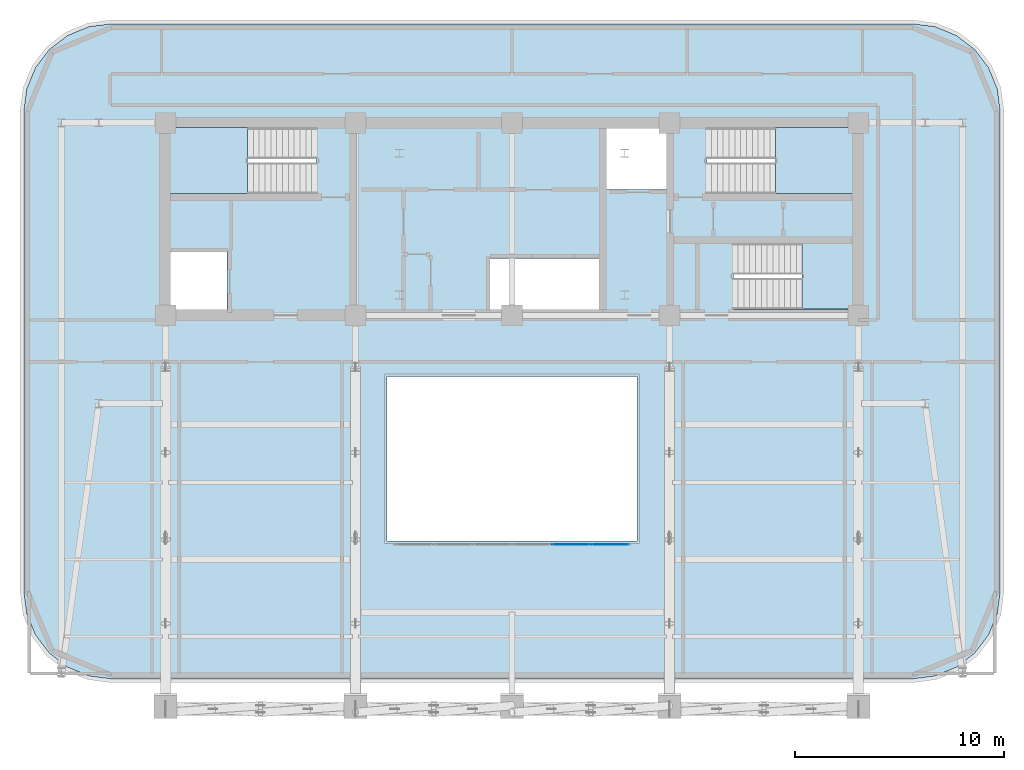
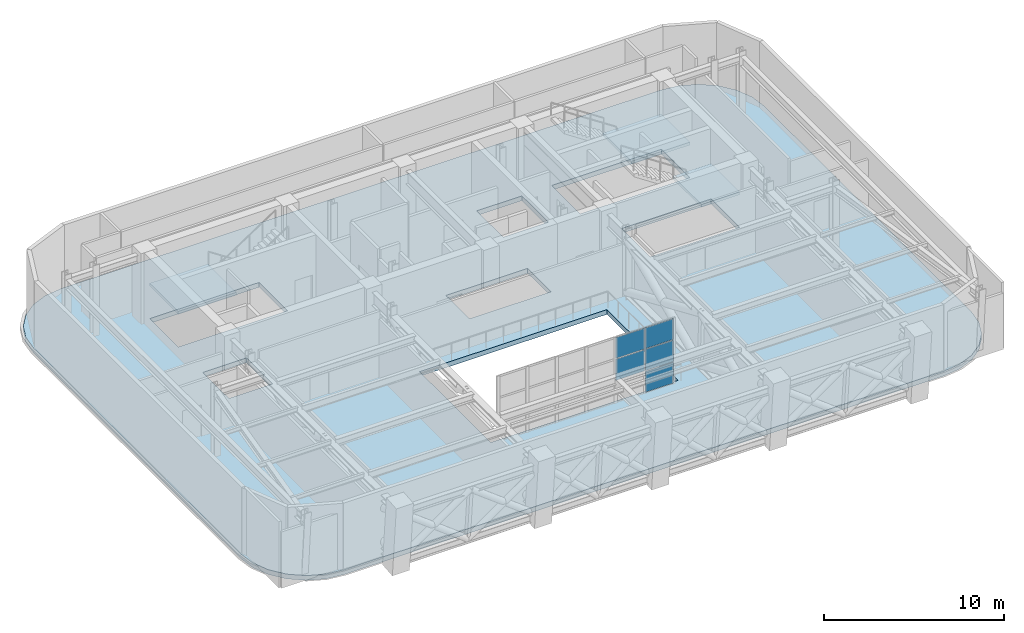
# One storey, part 4 of 12: 5 plates, 4 slabs, 4 elements without a shape of their own.
"""IFC4 building model written with IfcOpenShell, lengths in metres."""

from ifc_helpers import new_model, si_unit, direction, frame, origin, origin_2d, place, context, subcontext, project, spatial, polyline, rectangle, outline, extrude, material, layer, layer_set, type_object, element, aggregate, save


model = new_model("IFC4")

# Units and contexts
model_context = context("Model", 3, precision=1e-05, world=origin(), true_north=direction((0.0, 1.0)))
body_context = subcontext(model_context, "Body", "Model", "MODEL_VIEW")
ifc_project = project(units=[si_unit("LENGTHUNIT", "METRE"), si_unit("AREAUNIT", "SQUARE_METRE"), si_unit("VOLUMEUNIT", "CUBIC_METRE"), si_unit("PLANEANGLEUNIT", "RADIAN"), si_unit("MASSUNIT", "GRAM", prefix="KILO")], contexts=[model_context])

# Site, building, storey
site_placement = place(None, origin())
site = spatial("IfcSite", under=ifc_project, at=site_placement, CompositionType="ELEMENT")
building_placement = place(site_placement, origin())
building = spatial("IfcBuilding", under=site, at=building_placement, Name="Zarnavel Station Tower", CompositionType="ELEMENT")
storey_placement = place(building_placement, frame((0.0, 0.0, 188.39990234375)))
storey = spatial("IfcBuildingStorey", under=building, at=storey_placement, Name="L51", CompositionType="ELEMENT", Elevation=188.39990234375)

# Curtain wall, plates
ifc_material_1 = material(Name="Aluminium Dark Anodised and Solar-Control Glass", Category="aluminium")
ifc_layer_1 = layer(ifc_material_1, 0.179931640625)
ifc_layer_set_1 = layer_set([ifc_layer_1], Name="CWS5")
curtain_wall_type = type_object("IfcCurtainWallType", Name="CWS5", PredefinedType="NOTDEFINED", material=ifc_layer_set_1)
curtain_wall_placement = place(storey_placement, origin())
curtain_wall = element("IfcCurtainWall", 1, at=curtain_wall_placement, inside=storey, type_object=curtain_wall_type, Name="L51 Curtain Wall CWS5-L51-AS", PredefinedType="NOTDEFINED")
ifc_material_2 = material(Name="Double Low-E Dark Solar-Control Glass", Category="glass")
ifc_layer_2 = layer(ifc_material_2, 0.033935546875)
ifc_layer_set_2 = layer_set([ifc_layer_2], Name="CWS5_PNL")
plate_type = type_object("IfcPlateType", Name="CWS5_PNL", PredefinedType="CURTAIN_PANEL", material=ifc_layer_set_2)
plate_1_placement = place(storey_placement, frame((31.625, 16.85009765625, 1.5234375), z_axis=(0.0, 0.0, 1.0), x_axis=(1.0, 0.0, 0.0)))
plate_1 = element("IfcPlate", 2, at=plate_1_placement, type_object=plate_type, Name="CW5 panel 5.2", PredefinedType="CURTAIN_PANEL", context=body_context, shape_type="SweptSolid", body=[
    extrude(rectangle(XDim=1.8232421875, YDim=0.028076171875, at=origin_2d()), origin(), (0.0, 0.0, 1.0), 1.433349609375),
])
plate_2_placement = place(storey_placement, frame((31.625, 16.85009765625, 3.016845703125), z_axis=(0.0, 0.0, 1.0), x_axis=(1.0, 0.0, 0.0)))
plate_2 = element("IfcPlate", 3, at=plate_2_placement, type_object=plate_type, Name="CW5 panel 5.3", PredefinedType="CURTAIN_PANEL", context=body_context, shape_type="SweptSolid", body=[
    extrude(rectangle(XDim=1.8232421875, YDim=0.028076171875, at=origin_2d()), origin(), (0.0, 0.0, 1.0), 1.4033203125),
])
plate_3_placement = place(storey_placement, frame((33.493408203125, 16.85009765625, 0.06005859375), z_axis=(0.0, 0.0, 1.0), x_axis=(1.0, 0.0, 0.0)))
plate_3 = element("IfcPlate", 4, at=plate_3_placement, type_object=plate_type, Name="CW5 panel 6.1", PredefinedType="CURTAIN_PANEL", context=body_context, shape_type="SweptSolid", body=[
    extrude(rectangle(XDim=1.793212890625, YDim=0.028076171875, at=origin_2d()), origin(), (0.0, 0.0, 1.0), 1.4033203125),
])
plate_4_placement = place(storey_placement, frame((33.493408203125, 16.85009765625, 1.5234375), z_axis=(0.0, 0.0, 1.0), x_axis=(1.0, 0.0, 0.0)))
plate_4 = element("IfcPlate", 5, at=plate_4_placement, type_object=plate_type, Name="CW5 panel 6.2", PredefinedType="CURTAIN_PANEL", context=body_context, shape_type="SweptSolid", body=[
    extrude(rectangle(XDim=1.793212890625, YDim=0.028076171875, at=origin_2d()), origin(), (0.0, 0.0, 1.0), 1.433349609375),
])
plate_5_placement = place(storey_placement, frame((33.493408203125, 16.85009765625, 3.016845703125), z_axis=(0.0, 0.0, 1.0), x_axis=(1.0, 0.0, 0.0)))
plate_5 = element("IfcPlate", 6, at=plate_5_placement, type_object=plate_type, Name="CW5 panel 6.3", PredefinedType="CURTAIN_PANEL", context=body_context, shape_type="SweptSolid", body=[
    extrude(rectangle(XDim=1.793212890625, YDim=0.028076171875, at=origin_2d()), origin(), (0.0, 0.0, 1.0), 1.4033203125),
])
aggregate(curtain_wall, [plate_1, plate_2, plate_3, plate_4, plate_5])

# Slab
ifc_material_3 = material(Name="Concrete C45/55", Category="concrete")
ifc_layer_3 = layer(ifc_material_3, 0.320068359375)
ifc_layer_set_3 = layer_set([ifc_layer_3], Name="SL_FLR_320")
slab_type_1 = type_object("IfcSlabType", Name="SL_FLR_320", PredefinedType="FLOOR", material=ifc_layer_set_3)
slab_1_placement = place(storey_placement, frame((0.0, 0.0, -0.31982421875)))
element("IfcSlab", 7, at=slab_1_placement, inside=storey, type_object=slab_type_1, Name="L51 Structural Floor Slab", PredefinedType="FLOOR", context=body_context, shape_type="SweptSolid", body=[
    extrude(outline(polyline([(48.0, 10.39990234375), (49.0869140625, 10.543212890625), (50.10009765625, 10.962646484375), (50.9697265625, 11.630126953125), (51.63720703125, 12.5), (52.056884765625, 13.512939453125), (52.199951171875, 14.60009765625), (52.199951171875, 37.60009765625), (52.056884765625, 38.68701171875), (51.63720703125, 39.699951171875), (50.9697265625, 40.56982421875), (50.10009765625, 41.2373046875), (49.0869140625, 41.656982421875), (48.0, 41.800048828125), (9.60009765625, 41.800048828125), (8.512939453125, 41.656982421875), (7.5, 41.2373046875), (6.630126953125, 40.56982421875), (5.962646484375, 39.699951171875), (5.543212890625, 38.68701171875), (5.39990234375, 37.60009765625), (5.39990234375, 14.60009765625), (5.543212890625, 13.512939453125), (5.962646484375, 12.5), (6.630126953125, 11.630126953125), (7.5, 10.962646484375), (8.512939453125, 10.543212890625), (9.60009765625, 10.39990234375), (48.0, 10.39990234375)]), holes=[polyline([(12.39990234375, 33.659912109375), (19.409912109375, 33.659912109375), (19.409912109375, 36.820068359375), (12.39990234375, 36.820068359375), (12.39990234375, 33.659912109375)]), polyline([(38.14990234375, 33.659912109375), (45.159912109375, 33.659912109375), (45.159912109375, 36.820068359375), (38.14990234375, 36.820068359375), (38.14990234375, 33.659912109375)]), polyline([(39.419921875, 28.1201171875), (45.14990234375, 28.1201171875), (45.14990234375, 31.280029296875), (39.419921875, 31.280029296875), (39.419921875, 28.1201171875)]), polyline([(12.35009765625, 27.949951171875), (15.14990234375, 27.949951171875), (15.14990234375, 30.85009765625), (12.35009765625, 30.85009765625), (12.35009765625, 27.949951171875)]), polyline([(33.320068359375, 33.85009765625), (36.2099609375, 33.85009765625), (36.2099609375, 36.780029296875), (33.320068359375, 36.780029296875), (33.320068359375, 33.85009765625)]), polyline([(27.75, 27.949951171875), (32.97998046875, 27.949951171875), (32.97998046875, 30.550048828125), (27.75, 30.550048828125), (27.75, 27.949951171875)]), polyline([(22.800048828125, 17.0), (34.800048828125, 17.0), (34.800048828125, 24.89990234375), (22.800048828125, 24.89990234375), (22.800048828125, 17.0)])]), origin(), (0.0, 0.0, 1.0), 0.31982421875),
])

# Stair, slab
ifc_material_4 = material(Name="Concrete C45/55", Category="concrete")
stair_type = type_object("IfcStairType", Name="ST_CORE_150", PredefinedType="HALF_TURN_STAIR", material=ifc_material_4)
stair_1_placement = place(storey_placement, origin())
stair_1 = element("IfcStair", 8, at=stair_1_placement, inside=storey, type_object=stair_type, Name="L51 Core Exit Stair ST1", PredefinedType="HALF_TURN_STAIR")
ifc_material_5 = material(Name="Concrete C45/55", Category="concrete")
ifc_layer_4 = layer(ifc_material_5, 0.199951171875)
ifc_layer_set_4 = layer_set([ifc_layer_4], Name="SL_STAIR_LAND_200")
slab_type_2 = type_object("IfcSlabType", Name="SL_STAIR_LAND_200", PredefinedType="LANDING", material=ifc_layer_set_4)
slab_2_placement = place(storey_placement, frame((0.0, 0.0, 2.2001953125)))
slab_2 = element("IfcSlab", 9, at=slab_2_placement, type_object=slab_type_2, Name="ST1 landing 1", PredefinedType="LANDING", context=body_context, shape_type="SweptSolid", body=[
    extrude(outline(polyline([(16.1201171875, 36.820068359375), (12.39990234375, 36.820068359375), (12.39990234375, 33.659912109375), (16.1201171875, 33.659912109375), (16.1201171875, 36.820068359375)])), origin(), (0.0, 0.0, 1.0), 0.199951171875),
])
aggregate(stair_1, [slab_2])

stair_2_placement = place(storey_placement, origin())
stair_2 = element("IfcStair", 10, at=stair_2_placement, inside=storey, type_object=stair_type, Name="L51 Core Exit Stair ST2", PredefinedType="HALF_TURN_STAIR")
slab_3_placement = place(storey_placement, frame((0.0, 0.0, 2.2001953125)))
slab_3 = element("IfcSlab", 11, at=slab_3_placement, type_object=slab_type_2, Name="ST2 landing 1", PredefinedType="LANDING", context=body_context, shape_type="SweptSolid", body=[
    extrude(outline(polyline([(41.43994140625, 33.659912109375), (45.159912109375, 33.659912109375), (45.159912109375, 36.820068359375), (41.43994140625, 36.820068359375), (41.43994140625, 33.659912109375)])), origin(), (0.0, 0.0, 1.0), 0.199951171875),
])
aggregate(stair_2, [slab_3])

stair_3_placement = place(storey_placement, origin())
stair_3 = element("IfcStair", 12, at=stair_3_placement, inside=storey, type_object=stair_type, Name="L51 Core Exit Stair ST3", PredefinedType="HALF_TURN_STAIR")
slab_4_placement = place(storey_placement, frame((0.0, 0.0, 2.2001953125)))
slab_4 = element("IfcSlab", 13, at=slab_4_placement, type_object=slab_type_2, Name="ST3 landing 1", PredefinedType="LANDING", context=body_context, shape_type="SweptSolid", body=[
    extrude(outline(polyline([(42.7099609375, 28.1201171875), (45.14990234375, 28.1201171875), (45.14990234375, 31.280029296875), (42.7099609375, 31.280029296875), (42.7099609375, 28.1201171875)])), origin(), (0.0, 0.0, 1.0), 0.199951171875),
])
aggregate(stair_3, [slab_4])

save(model, "model.ifc")
